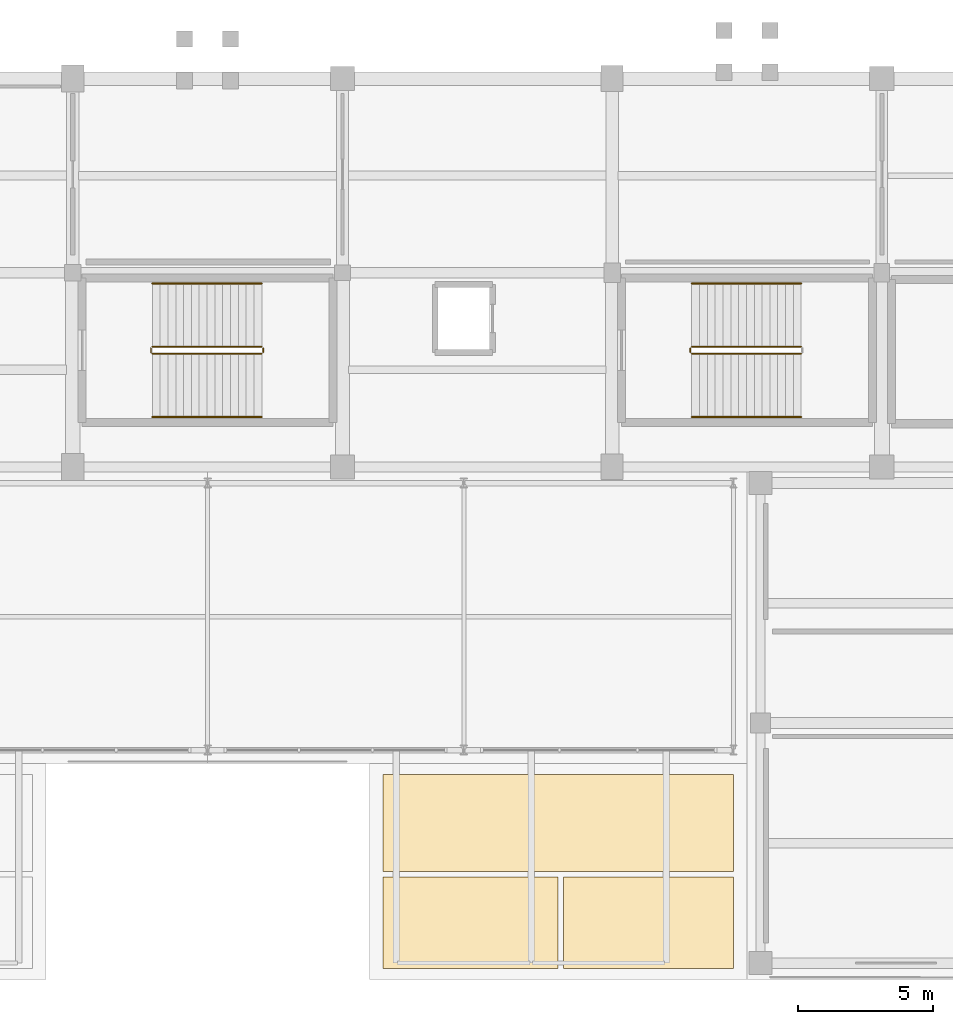
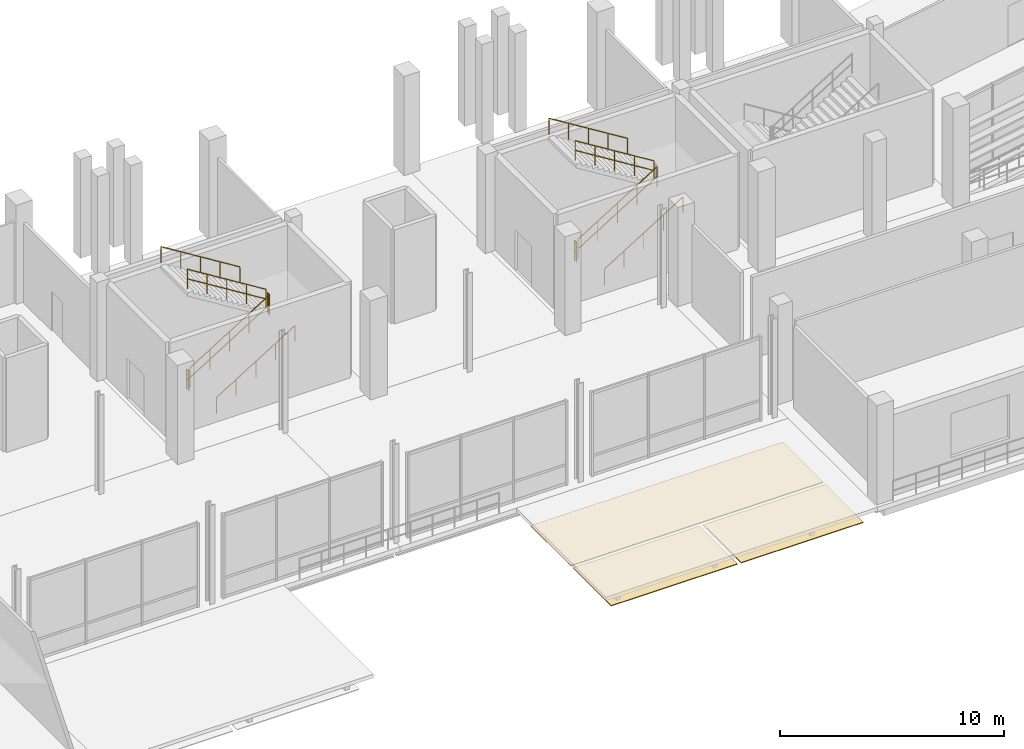
# One storey, part 96 of 114: 11 railings, 3 coverings.
"""IFC4 building model written with IfcOpenShell, lengths in metres."""

from ifc_helpers import new_model, si_unit, direction, frame, origin, origin_2d, place, context, subcontext, project, spatial, polyline, circle, outline, extrude, material, layer, layer_set, type_object, element, save


model = new_model("IFC4")

# Units and contexts
model_context = context("Model", 3, precision=1e-05, world=origin(), true_north=direction((0.0, 1.0)))
body_context = subcontext(model_context, "Body", "Model", "MODEL_VIEW")
ifc_project = project(units=[si_unit("LENGTHUNIT", "METRE"), si_unit("AREAUNIT", "SQUARE_METRE"), si_unit("VOLUMEUNIT", "CUBIC_METRE"), si_unit("PLANEANGLEUNIT", "RADIAN"), si_unit("MASSUNIT", "GRAM", prefix="KILO")], contexts=[model_context])

# Site, building, storey
site_placement = place(None, origin())
site = spatial("IfcSite", under=ifc_project, at=site_placement, CompositionType="ELEMENT")
building_placement = place(site_placement, origin())
building = spatial("IfcBuilding", under=site, at=building_placement, Name="Candeia Ridge Stadium", CompositionType="ELEMENT")
storey_placement = place(building_placement, frame((0.0, 0.0, 5.39990234375)))
storey = spatial("IfcBuildingStorey", under=building, at=storey_placement, Name="L01", CompositionType="ELEMENT", Elevation=5.39990234375)

# Railings
ifc_material_1 = material(Name="Brushed Stainless Steel", Category="steel")
ifc_layer_1 = layer(ifc_material_1, 0.048095703125, Name="Brushed Stainless Steel", Category="steel")
ifc_layer_set_1 = layer_set([ifc_layer_1], Name="Brushed Stainless Steel")
railing_type_1 = type_object("IfcRailingType", Name="Stair Wall & Flight Handrail 900", PredefinedType="HANDRAIL", material=ifc_layer_set_1)
railing_1_placement = place(storey_placement, frame((123.949951171875, 20.85009765625, 0.18017578125)))
element("IfcRailing", 1, at=railing_1_placement, inside=storey, type_object=railing_type_1, Name="L01 ST12 stair handrail 1", PredefinedType="HANDRAIL", context=body_context, shape_type="SweptSolid", body=[
    extrude(circle(Radius=0.02392578125, at=origin_2d()), frame((0.0, 0.0, 0.8759765625), z_axis=(0.849641744969, 0.0, 0.527360318194), x_axis=(0.0, 1.0, 0.0)), (0.0, 0.0, 1.0), 4.778564453125),
    extrude(circle(Radius=0.02099609375, at=origin_2d()), origin(), (0.0, 0.0, 1.0), 0.851806640625),
    extrude(circle(Radius=0.02099609375, at=origin_2d()), frame((1.01513671875, 0.0, 0.6298828125)), (0.0, 0.0, 1.0), 0.851806640625),
    extrude(circle(Radius=0.02099609375, at=origin_2d()), frame((2.030029296875, 0.0, 1.260009765625)), (0.0, 0.0, 1.0), 0.851806640625),
    extrude(circle(Radius=0.02099609375, at=origin_2d()), frame((3.044921875, 0.0, 1.89013671875)), (0.0, 0.0, 1.0), 0.851806640625),
    extrude(circle(Radius=0.02099609375, at=origin_2d()), frame((4.06005859375, 0.0, 2.52001953125)), (0.0, 0.0, 1.0), 0.851806640625),
])
railing_2_placement = place(storey_placement, frame((128.010009765625, 25.800048828125, 2.880126953125)))
element("IfcRailing", 2, at=railing_2_placement, inside=storey, type_object=railing_type_1, Name="L01 ST12 stair handrail 2", PredefinedType="HANDRAIL", context=body_context, shape_type="SweptSolid", body=[
    extrude(circle(Radius=0.02392578125, at=origin_2d()), frame((0.0, 0.0, 0.8759765625), z_axis=(-0.849641744969, 0.0, 0.527360318194), x_axis=(0.0, -1.0, 0.0)), (0.0, 0.0, 1.0), 4.778564453125),
    extrude(circle(Radius=0.02099609375, at=origin_2d()), origin(), (0.0, 0.0, 1.0), 0.851806640625),
    extrude(circle(Radius=0.02099609375, at=origin_2d()), frame((-1.01513671875, 0.0, 0.6298828125)), (0.0, 0.0, 1.0), 0.851806640625),
    extrude(circle(Radius=0.02099609375, at=origin_2d()), frame((-2.030029296875, 0.0, 1.260009765625)), (0.0, 0.0, 1.0), 0.851806640625),
    extrude(circle(Radius=0.02099609375, at=origin_2d()), frame((-3.044921875, 0.0, 1.89013671875)), (0.0, 0.0, 1.0), 0.851806640625),
    extrude(circle(Radius=0.02099609375, at=origin_2d()), frame((-4.06005859375, 0.0, 2.52001953125)), (0.0, 0.0, 1.0), 0.851806640625),
])
railing_3_placement = place(storey_placement, frame((103.949951171875, 20.85009765625, 0.18017578125)))
element("IfcRailing", 3, at=railing_3_placement, inside=storey, type_object=railing_type_1, Name="L01 ST18 stair handrail 1", PredefinedType="HANDRAIL", context=body_context, shape_type="SweptSolid", body=[
    extrude(circle(Radius=0.02392578125, at=origin_2d()), frame((0.0, 0.0, 0.8759765625), z_axis=(0.849641744969, 0.0, 0.527360318194), x_axis=(0.0, 1.0, 0.0)), (0.0, 0.0, 1.0), 4.778564453125),
    extrude(circle(Radius=0.02099609375, at=origin_2d()), origin(), (0.0, 0.0, 1.0), 0.851806640625),
    extrude(circle(Radius=0.02099609375, at=origin_2d()), frame((1.01513671875, 0.0, 0.6298828125)), (0.0, 0.0, 1.0), 0.851806640625),
    extrude(circle(Radius=0.02099609375, at=origin_2d()), frame((2.030029296875, 0.0, 1.260009765625)), (0.0, 0.0, 1.0), 0.851806640625),
    extrude(circle(Radius=0.02099609375, at=origin_2d()), frame((3.044921875, 0.0, 1.89013671875)), (0.0, 0.0, 1.0), 0.851806640625),
    extrude(circle(Radius=0.02099609375, at=origin_2d()), frame((4.06005859375, 0.0, 2.52001953125)), (0.0, 0.0, 1.0), 0.851806640625),
])
railing_4_placement = place(storey_placement, frame((108.010009765625, 25.800048828125, 2.880126953125)))
element("IfcRailing", 4, at=railing_4_placement, inside=storey, type_object=railing_type_1, Name="L01 ST18 stair handrail 2", PredefinedType="HANDRAIL", context=body_context, shape_type="SweptSolid", body=[
    extrude(circle(Radius=0.02392578125, at=origin_2d()), frame((0.0, 0.0, 0.8759765625), z_axis=(-0.849641744969, 0.0, 0.527360318194), x_axis=(0.0, -1.0, 0.0)), (0.0, 0.0, 1.0), 4.778564453125),
    extrude(circle(Radius=0.02099609375, at=origin_2d()), origin(), (0.0, 0.0, 1.0), 0.851806640625),
    extrude(circle(Radius=0.02099609375, at=origin_2d()), frame((-1.01513671875, 0.0, 0.6298828125)), (0.0, 0.0, 1.0), 0.851806640625),
    extrude(circle(Radius=0.02099609375, at=origin_2d()), frame((-2.030029296875, 0.0, 1.260009765625)), (0.0, 0.0, 1.0), 0.851806640625),
    extrude(circle(Radius=0.02099609375, at=origin_2d()), frame((-3.044921875, 0.0, 1.89013671875)), (0.0, 0.0, 1.0), 0.851806640625),
    extrude(circle(Radius=0.02099609375, at=origin_2d()), frame((-4.06005859375, 0.0, 2.52001953125)), (0.0, 0.0, 1.0), 0.851806640625),
])
ifc_material_2 = material(Name="Galvanized Powder-Coated Steel", Category="steel")
ifc_layer_2 = layer(ifc_material_2, 0.06005859375, Name="Galvanized Powder-Coated Steel", Category="steel")
ifc_layer_set_2 = layer_set([ifc_layer_2], Name="Galvanized Powder-Coated Steel")
railing_type_2 = type_object("IfcRailingType", Name="Stair Well Guardrail 1100", PredefinedType="GUARDRAIL", material=ifc_layer_set_2)
railing_5_placement = place(storey_placement, frame((123.949951171875, 23.199951171875, 0.18017578125)))
element("IfcRailing", 5, at=railing_5_placement, inside=storey, type_object=railing_type_2, Name="L01 ST12 stair guard 1", PredefinedType="GUARDRAIL", context=body_context, shape_type="SweptSolid", body=[
    extrude(circle(Radius=0.02392578125, at=origin_2d()), frame((0.0, 0.0, 1.076171875), z_axis=(0.849641744969, 0.0, 0.527360318194), x_axis=(0.0, 1.0, 0.0)), (0.0, 0.0, 1.0), 4.778564453125),
    extrude(circle(Radius=0.02392578125, at=origin_2d()), frame((0.0, 0.0, 0.550048828125), z_axis=(0.849641744969, 0.0, 0.527360318194), x_axis=(0.0, 1.0, 0.0)), (0.0, 0.0, 1.0), 4.778564453125),
    extrude(circle(Radius=0.02099609375, at=origin_2d()), origin(), (0.0, 0.0, 1.0), 1.052001953125),
    extrude(circle(Radius=0.02099609375, at=origin_2d()), frame((1.01513671875, 0.0, 0.6298828125)), (0.0, 0.0, 1.0), 1.052001953125),
    extrude(circle(Radius=0.02099609375, at=origin_2d()), frame((2.030029296875, 0.0, 1.260009765625)), (0.0, 0.0, 1.0), 1.052001953125),
    extrude(circle(Radius=0.02099609375, at=origin_2d()), frame((3.044921875, 0.0, 1.89013671875)), (0.0, 0.0, 1.0), 1.052001953125),
    extrude(circle(Radius=0.02099609375, at=origin_2d()), frame((4.06005859375, 0.0, 2.52001953125)), (0.0, 0.0, 1.0), 1.052001953125),
])
railing_6_placement = place(storey_placement, frame((128.010009765625, 23.449951171875, 2.880126953125)))
element("IfcRailing", 6, at=railing_6_placement, inside=storey, type_object=railing_type_2, Name="L01 ST12 stair guard 3", PredefinedType="GUARDRAIL", context=body_context, shape_type="SweptSolid", body=[
    extrude(circle(Radius=0.02392578125, at=origin_2d()), frame((0.0, 0.0, 1.076171875), z_axis=(-0.849641744969, 0.0, 0.527360318194), x_axis=(0.0, -1.0, 0.0)), (0.0, 0.0, 1.0), 4.778564453125),
    extrude(circle(Radius=0.02392578125, at=origin_2d()), frame((0.0, 0.0, 0.550048828125), z_axis=(-0.849641744969, 0.0, 0.527360318194), x_axis=(0.0, -1.0, 0.0)), (0.0, 0.0, 1.0), 4.778564453125),
    extrude(circle(Radius=0.02099609375, at=origin_2d()), origin(), (0.0, 0.0, 1.0), 1.052001953125),
    extrude(circle(Radius=0.02099609375, at=origin_2d()), frame((-1.01513671875, 0.0, 0.6298828125)), (0.0, 0.0, 1.0), 1.052001953125),
    extrude(circle(Radius=0.02099609375, at=origin_2d()), frame((-2.030029296875, 0.0, 1.260009765625)), (0.0, 0.0, 1.0), 1.052001953125),
    extrude(circle(Radius=0.02099609375, at=origin_2d()), frame((-3.044921875, 0.0, 1.89013671875)), (0.0, 0.0, 1.0), 1.052001953125),
    extrude(circle(Radius=0.02099609375, at=origin_2d()), frame((-4.06005859375, 0.0, 2.52001953125)), (0.0, 0.0, 1.0), 1.052001953125),
])
railing_7_placement = place(storey_placement, frame((123.89990234375, 23.25, 0.0)))
element("IfcRailing", 7, at=railing_7_placement, inside=storey, type_object=railing_type_2, Name="L01 ST12 stair guard 4", PredefinedType="GUARDRAIL", context=body_context, shape_type="SweptSolid", body=[
    extrude(circle(Radius=0.02392578125, at=origin_2d()), frame((0.0, 0.0, 1.076171875), z_axis=(0.0, 1.0, 0.0), x_axis=(-1.0, 0.0, 0.0)), (0.0, 0.0, 1.0), 0.14990234375),
    extrude(circle(Radius=0.02392578125, at=origin_2d()), frame((0.0, 0.0, 0.550048828125), z_axis=(0.0, 1.0, 0.0), x_axis=(-1.0, 0.0, 0.0)), (0.0, 0.0, 1.0), 0.14990234375),
    extrude(circle(Radius=0.02099609375, at=origin_2d()), origin(), (0.0, 0.0, 1.0), 1.052001953125),
    extrude(circle(Radius=0.02099609375, at=origin_2d()), frame((0.0, 0.14990234375, 0.0)), (0.0, 0.0, 1.0), 1.052001953125),
])
railing_8_placement = place(storey_placement, frame((103.949951171875, 23.199951171875, 0.18017578125)))
element("IfcRailing", 8, at=railing_8_placement, inside=storey, type_object=railing_type_2, Name="L01 ST18 stair guard 1", PredefinedType="GUARDRAIL", context=body_context, shape_type="SweptSolid", body=[
    extrude(circle(Radius=0.02392578125, at=origin_2d()), frame((0.0, 0.0, 1.076171875), z_axis=(0.849641744969, 0.0, 0.527360318194), x_axis=(0.0, 1.0, 0.0)), (0.0, 0.0, 1.0), 4.778564453125),
    extrude(circle(Radius=0.02392578125, at=origin_2d()), frame((0.0, 0.0, 0.550048828125), z_axis=(0.849641744969, 0.0, 0.527360318194), x_axis=(0.0, 1.0, 0.0)), (0.0, 0.0, 1.0), 4.778564453125),
    extrude(circle(Radius=0.02099609375, at=origin_2d()), origin(), (0.0, 0.0, 1.0), 1.052001953125),
    extrude(circle(Radius=0.02099609375, at=origin_2d()), frame((1.01513671875, 0.0, 0.6298828125)), (0.0, 0.0, 1.0), 1.052001953125),
    extrude(circle(Radius=0.02099609375, at=origin_2d()), frame((2.030029296875, 0.0, 1.260009765625)), (0.0, 0.0, 1.0), 1.052001953125),
    extrude(circle(Radius=0.02099609375, at=origin_2d()), frame((3.044921875, 0.0, 1.89013671875)), (0.0, 0.0, 1.0), 1.052001953125),
    extrude(circle(Radius=0.02099609375, at=origin_2d()), frame((4.06005859375, 0.0, 2.52001953125)), (0.0, 0.0, 1.0), 1.052001953125),
])
railing_9_placement = place(storey_placement, frame((108.06005859375, 23.25, 2.7001953125)))
element("IfcRailing", 9, at=railing_9_placement, inside=storey, type_object=railing_type_2, Name="L01 ST18 stair guard 2", PredefinedType="GUARDRAIL", context=body_context, shape_type="SweptSolid", body=[
    extrude(circle(Radius=0.02392578125, at=origin_2d()), frame((0.0, 0.0, 1.076171875), z_axis=(0.0, 1.0, 0.0), x_axis=(-1.0, 0.0, 0.0)), (0.0, 0.0, 1.0), 0.14990234375),
    extrude(circle(Radius=0.02392578125, at=origin_2d()), frame((0.0, 0.0, 0.550048828125), z_axis=(0.0, 1.0, 0.0), x_axis=(-1.0, 0.0, 0.0)), (0.0, 0.0, 1.0), 0.14990234375),
    extrude(circle(Radius=0.02099609375, at=origin_2d()), origin(), (0.0, 0.0, 1.0), 1.052001953125),
    extrude(circle(Radius=0.02099609375, at=origin_2d()), frame((0.0, 0.14990234375, 0.0)), (0.0, 0.0, 1.0), 1.052001953125),
])
railing_10_placement = place(storey_placement, frame((108.010009765625, 23.449951171875, 2.880126953125)))
element("IfcRailing", 10, at=railing_10_placement, inside=storey, type_object=railing_type_2, Name="L01 ST18 stair guard 3", PredefinedType="GUARDRAIL", context=body_context, shape_type="SweptSolid", body=[
    extrude(circle(Radius=0.02392578125, at=origin_2d()), frame((0.0, 0.0, 1.076171875), z_axis=(-0.849641744969, 0.0, 0.527360318194), x_axis=(0.0, -1.0, 0.0)), (0.0, 0.0, 1.0), 4.778564453125),
    extrude(circle(Radius=0.02392578125, at=origin_2d()), frame((0.0, 0.0, 0.550048828125), z_axis=(-0.849641744969, 0.0, 0.527360318194), x_axis=(0.0, -1.0, 0.0)), (0.0, 0.0, 1.0), 4.778564453125),
    extrude(circle(Radius=0.02099609375, at=origin_2d()), origin(), (0.0, 0.0, 1.0), 1.052001953125),
    extrude(circle(Radius=0.02099609375, at=origin_2d()), frame((-1.01513671875, 0.0, 0.6298828125)), (0.0, 0.0, 1.0), 1.052001953125),
    extrude(circle(Radius=0.02099609375, at=origin_2d()), frame((-2.030029296875, 0.0, 1.260009765625)), (0.0, 0.0, 1.0), 1.052001953125),
    extrude(circle(Radius=0.02099609375, at=origin_2d()), frame((-3.044921875, 0.0, 1.89013671875)), (0.0, 0.0, 1.0), 1.052001953125),
    extrude(circle(Radius=0.02099609375, at=origin_2d()), frame((-4.06005859375, 0.0, 2.52001953125)), (0.0, 0.0, 1.0), 1.052001953125),
])
railing_11_placement = place(storey_placement, frame((103.89990234375, 23.25, 0.0)))
element("IfcRailing", 11, at=railing_11_placement, inside=storey, type_object=railing_type_2, Name="L01 ST18 stair guard 4", PredefinedType="GUARDRAIL", context=body_context, shape_type="SweptSolid", body=[
    extrude(circle(Radius=0.02392578125, at=origin_2d()), frame((0.0, 0.0, 1.076171875), z_axis=(0.0, 1.0, 0.0), x_axis=(-1.0, 0.0, 0.0)), (0.0, 0.0, 1.0), 0.14990234375),
    extrude(circle(Radius=0.02392578125, at=origin_2d()), frame((0.0, 0.0, 0.550048828125), z_axis=(0.0, 1.0, 0.0), x_axis=(-1.0, 0.0, 0.0)), (0.0, 0.0, 1.0), 0.14990234375),
    extrude(circle(Radius=0.02099609375, at=origin_2d()), origin(), (0.0, 0.0, 1.0), 1.052001953125),
    extrude(circle(Radius=0.02099609375, at=origin_2d()), frame((0.0, 0.14990234375, 0.0)), (0.0, 0.0, 1.0), 1.052001953125),
])

# Coverings
ifc_material_3 = material(Name="Western Red Cedar Timber", Category="wood")
ifc_layer_3 = layer(ifc_material_3, 0.0400390625, Name="Western Red Cedar Timber", Category="wood")
ifc_layer_set_3 = layer_set([ifc_layer_3], Name="Western Red Cedar Timber")
covering_type = type_object("IfcCoveringType", Name="Western Red Cedar Exterior Soffit Cladding", PredefinedType="CLADDING", material=ifc_layer_set_3)
covering_1_placement = place(storey_placement, frame((0.0, 0.0, -0.919921875)))
element("IfcCovering", 12, at=covering_1_placement, inside=storey, type_object=covering_type, Name="Western red cedar canopy soffit cladding 03", PredefinedType="CLADDING", context=body_context, shape_type="SweptSolid", body=[
    extrude(outline(polyline([(112.5, 0.39990234375), (119.0, 0.39990234375), (119.0, 3.800048828125), (112.5, 3.800048828125), (112.5, 0.39990234375)])), origin(), (0.0, 0.0, 1.0), 0.044921875),
])
covering_2_placement = place(storey_placement, frame((0.0, 0.0, -0.919921875)))
element("IfcCovering", 13, at=covering_2_placement, inside=storey, type_object=covering_type, Name="Western red cedar canopy soffit cladding 04", PredefinedType="CLADDING", context=body_context, shape_type="SweptSolid", body=[
    extrude(outline(polyline([(119.199951171875, 0.39990234375), (125.5, 0.39990234375), (125.5, 3.800048828125), (119.199951171875, 3.800048828125), (119.199951171875, 0.39990234375)])), origin(), (0.0, 0.0, 1.0), 0.044921875),
])
covering_3_placement = place(storey_placement, frame((0.0, 0.0, -0.919921875)))
element("IfcCovering", 14, at=covering_3_placement, inside=storey, type_object=covering_type, Name="Western red cedar canopy soffit cladding 06", PredefinedType="CLADDING", context=body_context, shape_type="SweptSolid", body=[
    extrude(outline(polyline([(112.5, 4.0), (125.5, 4.0), (125.5, 7.60009765625), (112.5, 7.60009765625), (112.5, 4.0)])), origin(), (0.0, 0.0, 1.0), 0.044921875),
])

save(model, "model.ifc")
